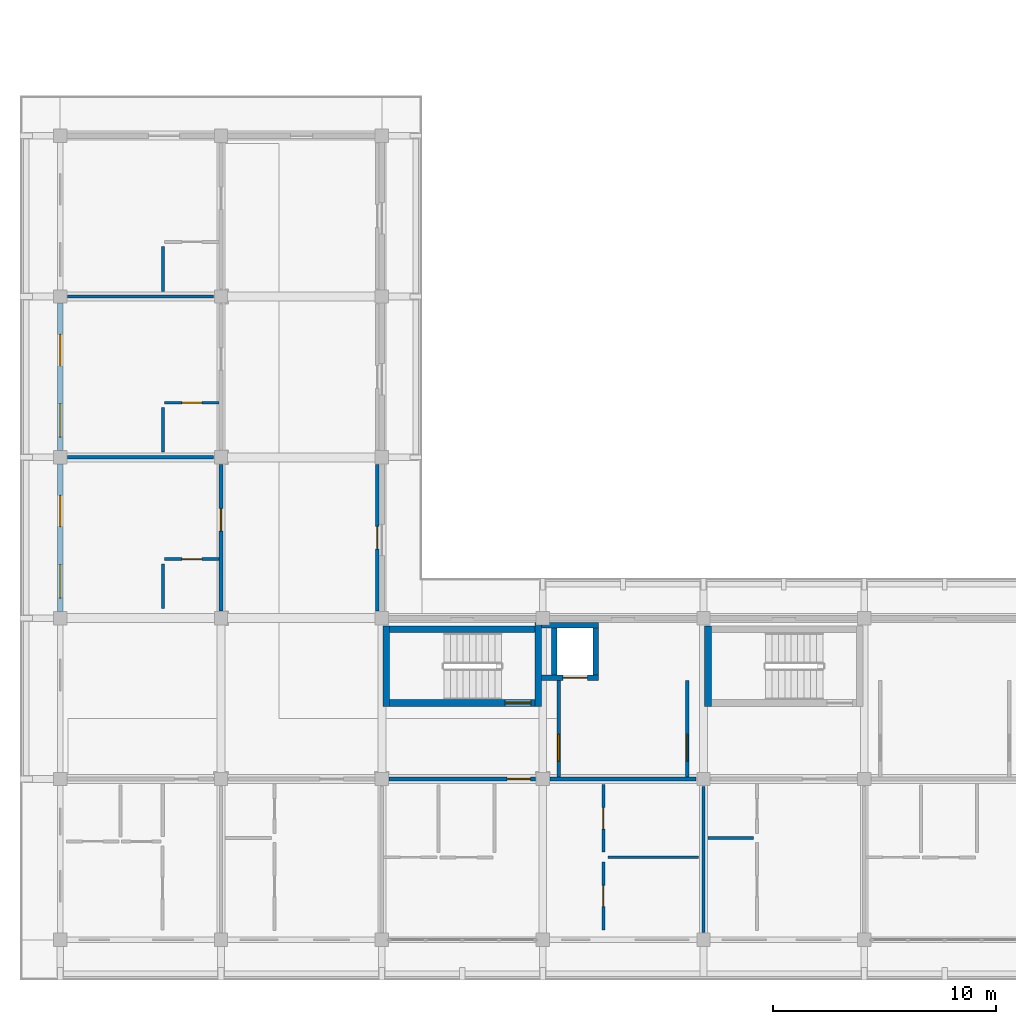
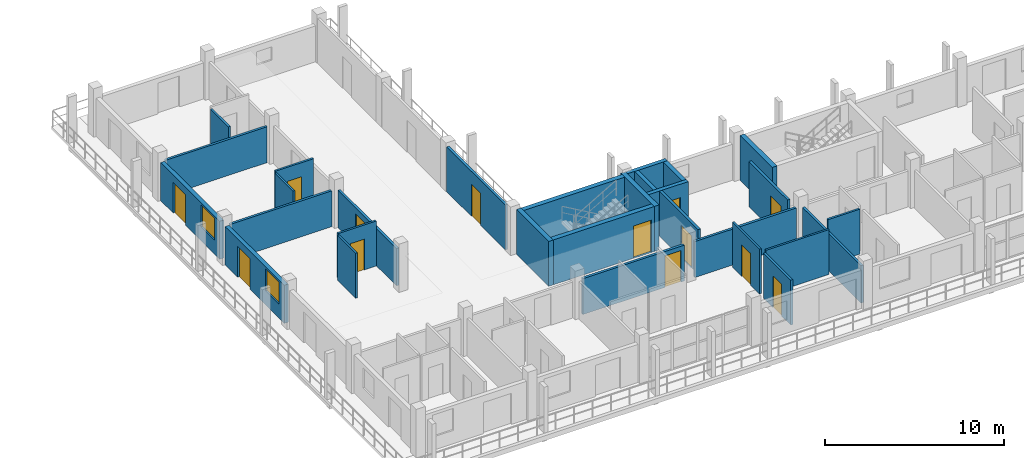
# One storey, part 39 of 75: 29 walls, 13 doors, 2 windows, 15 openings.
"""IFC4 building model written with IfcOpenShell, lengths in metres."""

from ifc_helpers import new_model, si_unit, direction, frame, frame_2d, origin, place, context, subcontext, project, spatial, rectangle, extrude, material, layer, layer_set, type_object, element, fill, save


model = new_model("IFC4")

# Units and contexts
model_context = context("Model", 3, precision=1e-05, world=origin(), true_north=direction((0.0, 1.0)))
body_context = subcontext(model_context, "Body", "Model", "MODEL_VIEW")
ifc_project = project(units=[si_unit("LENGTHUNIT", "METRE"), si_unit("AREAUNIT", "SQUARE_METRE"), si_unit("VOLUMEUNIT", "CUBIC_METRE"), si_unit("PLANEANGLEUNIT", "RADIAN"), si_unit("MASSUNIT", "GRAM", prefix="KILO")], contexts=[model_context])

# Site, building, storey
site_placement = place(None, origin())
site = spatial("IfcSite", under=ifc_project, at=site_placement, CompositionType="ELEMENT")
building_placement = place(site_placement, origin())
building = spatial("IfcBuilding", under=site, at=building_placement, Name="Suanplinth Sawtooth Commons", CompositionType="ELEMENT")
storey_placement = place(building_placement, frame((0.0, 0.0, 18.60009765625)))
storey = spatial("IfcBuildingStorey", under=building, at=storey_placement, Name="L05", CompositionType="ELEMENT", Elevation=18.60009765625)

# Wall, opening, door
ifc_material_1 = material(Name="Concrete C40/50", Category="concrete")
ifc_layer_1 = layer(ifc_material_1, 0.300048828125, Name="Standard RC stair and lift core wall 300mm")
ifc_layer_set_1 = layer_set([ifc_layer_1], Name="Concrete C40/50")
wall_type_1 = type_object("IfcWallType", Name="W-CR02", PredefinedType="SHEAR", material=ifc_layer_set_1)
wall_1_placement = place(storey_placement, frame((14.75, 10.60009765625, 0.0), z_axis=(0.0, 0.0, 1.0), x_axis=(1.0, 0.0, 0.0)))
wall_1 = element("IfcWall", 1, at=wall_1_placement, inside=storey, type_object=wall_type_1, Name="W-L05-C-D1-STS", PredefinedType="SHEAR", context=body_context, shape_type="SweptSolid", body=[
    extrude(rectangle(XDim=6.5, YDim=0.300048828125, at=frame_2d((3.25, 0.0))), origin(), (0.0, 0.0, 1.0), 3.059814453125),
])
opening_1_placement = place(wall_1_placement, frame((5.169921875, 0.0, 0.0)))
opening_1 = element("IfcOpeningElement", 2, at=opening_1_placement, cuts=wall_1, Name="Opening FD0381", PredefinedType="OPENING", context=body_context, shape_type="SweptSolid", body=[
    extrude(rectangle(XDim=1.14990234375, YDim=2.199951171875, at=frame_2d((0.574951171875, 1.10009765625))), frame((0.0, 0.1650390625, 0.0), z_axis=(0.0, -1.0, 0.0), x_axis=(1.0, 0.0, 0.0)), (0.0, 0.0, 1.0), 0.329833984375),
])
ifc_material_2 = material(Name="Teak hardwood fire-rated door assembly", Category="wood")
door_type_1 = type_object("IfcDoorType", Name="FD-01", OperationType="NOTDEFINED", PredefinedType="DOOR", material=ifc_material_2)
door_1_placement = place(opening_1_placement, origin())
door_1 = element("IfcDoor", 3, at=door_1_placement, inside=storey, type_object=door_type_1, Name="Exit Stair Fire Door FD0381", OperationType="SINGLE_SWING_RIGHT", OverallHeight=2.199951171875, OverallWidth=1.14990234375, PredefinedType="DOOR", context=body_context, shape_type="SweptSolid", body=[
    extrude(rectangle(XDim=1.14990234375, YDim=2.199951171875, at=frame_2d((0.574951171875, 1.10009765625))), frame((0.0, 0.02490234375, 0.0), z_axis=(0.0, -1.0, 0.0), x_axis=(1.0, 0.0, 0.0)), (0.0, 0.0, 1.0), 0.050048828125),
])
fill(opening_1, door_1)

# Walls
wall_2_placement = place(storey_placement, frame((14.75, 13.89990234375, 0.0), z_axis=(0.0, 0.0, 1.0), x_axis=(1.0, 0.0, 0.0)))
element("IfcWall", 4, at=wall_2_placement, inside=storey, type_object=wall_type_1, Name="W-L05-C-D1-STN", PredefinedType="SHEAR", context=body_context, shape_type="SweptSolid", body=[
    extrude(rectangle(XDim=6.5, YDim=0.300048828125, at=frame_2d((3.25, 0.0))), origin(), (0.0, 0.0, 1.0), 3.059814453125),
])
wall_3_placement = place(storey_placement, frame((14.60009765625, 10.449951171875, 0.0), z_axis=(0.0, 0.0, 1.0), x_axis=(0.0, 1.0, 0.0)))
element("IfcWall", 5, at=wall_3_placement, inside=storey, type_object=wall_type_1, Name="W-L05-C-D1-STW", PredefinedType="SHEAR", context=body_context, shape_type="SweptSolid", body=[
    extrude(rectangle(XDim=3.60009765625, YDim=0.300048828125, at=frame_2d((1.800048828125, 0.0))), origin(), (0.0, 0.0, 1.0), 3.059814453125),
])
wall_4_placement = place(storey_placement, frame((21.39990234375, 10.449951171875, 0.0), z_axis=(0.0, 0.0, 1.0), x_axis=(0.0, 1.0, 0.0)))
element("IfcWall", 6, at=wall_4_placement, inside=storey, type_object=wall_type_1, Name="W-L05-C-D1-STE", PredefinedType="SHEAR", context=body_context, shape_type="SweptSolid", body=[
    extrude(rectangle(XDim=3.75, YDim=0.300048828125, at=frame_2d((1.875, 0.0))), origin(), (0.0, 0.0, 1.0), 3.059814453125),
])
wall_5_placement = place(storey_placement, frame((29.0, 10.449951171875, 0.0), z_axis=(0.0, 0.0, 1.0), x_axis=(0.0, 1.0, 0.0)))
element("IfcWall", 7, at=wall_5_placement, inside=storey, type_object=wall_type_1, Name="W-L05-C-D2-STW", PredefinedType="SHEAR", context=body_context, shape_type="SweptSolid", body=[
    extrude(rectangle(XDim=3.60009765625, YDim=0.300048828125, at=frame_2d((1.800048828125, 0.0))), origin(), (0.0, 0.0, 1.0), 3.059814453125),
])

# Wall, openings, door, window
ifc_material_3 = material(Name="Precast concrete C40/50", Category="concrete")
ifc_layer_2 = layer(ifc_material_3, 0.260009765625, Name="Insulated precast courtyard facade wall 260mm")
ifc_layer_set_2 = layer_set([ifc_layer_2], Name="Precast concrete C40/50")
wall_type_2 = type_object("IfcWallType", Name="W-EX02", PredefinedType="ELEMENTEDWALL", material=ifc_layer_set_2)
wall_6_placement = place(storey_placement, frame((0.0, 14.699951171875, 0.0), z_axis=(0.0, 0.0, 1.0), x_axis=(0.0, 1.0, 0.0)))
wall_6 = element("IfcWall", 8, at=wall_6_placement, inside=storey, type_object=wall_type_2, Name="Facade Wall W-L05-D-W-0-2", PredefinedType="ELEMENTEDWALL", context=body_context, shape_type="SweptSolid", body=[
    extrude(rectangle(XDim=6.60009765625, YDim=0.260009765625, at=frame_2d((3.300048828125, 0.0))), origin(), (0.0, 0.0, 1.0), 2.594970703125),
])
opening_2_placement = place(wall_6_placement, frame((3.800048828125, 0.0, 0.0)))
opening_2 = element("IfcOpeningElement", 9, at=opening_2_placement, cuts=wall_6, Name="Opening ED0464", PredefinedType="OPENING", context=body_context, shape_type="SweptSolid", body=[
    extrude(rectangle(XDim=1.39990234375, YDim=2.10009765625, at=frame_2d((0.699951171875, 1.050048828125))), frame((0.0, 0.14501953125, 0.0), z_axis=(0.0, -1.0, 0.0), x_axis=(1.0, 0.0, 0.0)), (0.0, 0.0, 1.0), 0.289794921875),
])
opening_3_placement = place(wall_6_placement, frame((0.60009765625, 0.0, 0.949951171875)))
opening_3 = element("IfcOpeningElement", 10, at=opening_3_placement, cuts=wall_6, Name="Opening W0552", PredefinedType="OPENING", context=body_context, shape_type="SweptSolid", body=[
    extrude(rectangle(XDim=1.5, YDim=1.5, at=frame_2d((0.75, 0.75))), frame((0.0, 0.14501953125, 0.0), z_axis=(0.0, -1.0, 0.0), x_axis=(1.0, 0.0, 0.0)), (0.0, 0.0, 1.0), 0.289794921875),
])
ifc_material_4 = material(Name="Anodized aluminium and low-E glass", Category="aluminium")
door_type_2 = type_object("IfcDoorType", Name="SD-07", OperationType="SLIDING_TO_RIGHT", PredefinedType="DOOR", material=ifc_material_4)
door_2_placement = place(opening_2_placement, frame((1.39990234375, 0.0, 0.0), z_axis=(0.0, 0.0, 1.0), x_axis=(-1.0, 0.0, 0.0)))
door_2 = element("IfcDoor", 11, at=door_2_placement, inside=storey, type_object=door_type_2, Name="Wing Balcony Sliding Door L05-D-2", OperationType="SLIDING_TO_RIGHT", OverallHeight=2.10009765625, OverallWidth=1.39990234375, PredefinedType="DOOR", context=body_context, shape_type="SweptSolid", body=[
    extrude(rectangle(XDim=1.39990234375, YDim=2.10009765625, at=frame_2d((0.699951171875, 1.050048828125))), frame((0.0, 0.02490234375, 0.0), z_axis=(0.0, -1.0, 0.0), x_axis=(1.0, 0.0, 0.0)), (0.0, 0.0, 1.0), 0.050048828125),
])
fill(opening_2, door_2)
ifc_material_5 = material(Name="Thermally broken aluminium and low-E double glazing", Category="aluminium")
window_type = type_object("IfcWindowType", Name="WN-02", PartitioningType="DOUBLE_PANEL_VERTICAL", PredefinedType="WINDOW", material=ifc_material_5)
window_1_placement = place(opening_3_placement, origin())
window_1 = element("IfcWindow", 12, at=window_1_placement, inside=storey, type_object=window_type, Name="Wing Window L05-D-2", OverallHeight=1.5, OverallWidth=1.5, PartitioningType="DOUBLE_PANEL_VERTICAL", PredefinedType="WINDOW", context=body_context, shape_type="SweptSolid", body=[
    extrude(rectangle(XDim=1.5, YDim=1.5, at=frame_2d((0.75, 0.75))), frame((0.0, 0.030029296875, 0.0), z_axis=(0.0, -1.0, 0.0), x_axis=(1.0, 0.0, 0.0)), (0.0, 0.0, 1.0), 0.06005859375),
])
fill(opening_3, window_1)

wall_7_placement = place(storey_placement, frame((0.0, 21.89990234375, 0.0), z_axis=(0.0, 0.0, 1.0), x_axis=(0.0, 1.0, 0.0)))
wall_7 = element("IfcWall", 13, at=wall_7_placement, inside=storey, type_object=wall_type_2, Name="Facade Wall W-L05-D-W-0-3", PredefinedType="ELEMENTEDWALL", context=body_context, shape_type="SweptSolid", body=[
    extrude(rectangle(XDim=6.60009765625, YDim=0.260009765625, at=frame_2d((3.300048828125, 0.0))), origin(), (0.0, 0.0, 1.0), 2.594970703125),
])
opening_4_placement = place(wall_7_placement, frame((3.800048828125, 0.0, 0.0)))
opening_4 = element("IfcOpeningElement", 14, at=opening_4_placement, cuts=wall_7, Name="Opening ED0465", PredefinedType="OPENING", context=body_context, shape_type="SweptSolid", body=[
    extrude(rectangle(XDim=1.39990234375, YDim=2.10009765625, at=frame_2d((0.699951171875, 1.050048828125))), frame((0.0, 0.14501953125, 0.0), z_axis=(0.0, -1.0, 0.0), x_axis=(1.0, 0.0, 0.0)), (0.0, 0.0, 1.0), 0.289794921875),
])
opening_5_placement = place(wall_7_placement, frame((0.60009765625, 0.0, 0.949951171875)))
opening_5 = element("IfcOpeningElement", 15, at=opening_5_placement, cuts=wall_7, Name="Opening W0553", PredefinedType="OPENING", context=body_context, shape_type="SweptSolid", body=[
    extrude(rectangle(XDim=1.5, YDim=1.5, at=frame_2d((0.75, 0.75))), frame((0.0, 0.14501953125, 0.0), z_axis=(0.0, -1.0, 0.0), x_axis=(1.0, 0.0, 0.0)), (0.0, 0.0, 1.0), 0.289794921875),
])
door_3_placement = place(opening_4_placement, frame((1.39990234375, 0.0, 0.0), z_axis=(0.0, 0.0, 1.0), x_axis=(-1.0, 0.0, 0.0)))
door_3 = element("IfcDoor", 16, at=door_3_placement, inside=storey, type_object=door_type_2, Name="Wing Balcony Sliding Door L05-D-3", OperationType="SLIDING_TO_RIGHT", OverallHeight=2.10009765625, OverallWidth=1.39990234375, PredefinedType="DOOR", context=body_context, shape_type="SweptSolid", body=[
    extrude(rectangle(XDim=1.39990234375, YDim=2.10009765625, at=frame_2d((0.699951171875, 1.050048828125))), frame((0.0, 0.02490234375, 0.0), z_axis=(0.0, -1.0, 0.0), x_axis=(1.0, 0.0, 0.0)), (0.0, 0.0, 1.0), 0.050048828125),
])
fill(opening_4, door_3)
window_2_placement = place(opening_5_placement, origin())
window_2 = element("IfcWindow", 17, at=window_2_placement, inside=storey, type_object=window_type, Name="Wing Window L05-D-3", OverallHeight=1.5, OverallWidth=1.5, PartitioningType="DOUBLE_PANEL_VERTICAL", PredefinedType="WINDOW", context=body_context, shape_type="SweptSolid", body=[
    extrude(rectangle(XDim=1.5, YDim=1.5, at=frame_2d((0.75, 0.75))), frame((0.0, 0.030029296875, 0.0), z_axis=(0.0, -1.0, 0.0), x_axis=(1.0, 0.0, 0.0)), (0.0, 0.0, 1.0), 0.06005859375),
])
fill(opening_5, window_2)

# Wall, opening, door
ifc_layer_3 = layer(ifc_material_3, 0.159912109375, Name="Fire-rated corridor and lobby wall 160mm")
ifc_layer_set_3 = layer_set([ifc_layer_3], Name="Precast concrete C40/50")
wall_type_3 = type_object("IfcWallType", Name="W-FW01", PredefinedType="PARTITIONING", material=ifc_layer_set_3)
wall_8_placement = place(storey_placement, frame((22.320068359375, 7.280029296875, 0.0), z_axis=(0.0, 0.0, 1.0), x_axis=(0.0, 1.0, 0.0)))
wall_8 = element("IfcWall", 18, at=wall_8_placement, inside=storey, type_object=wall_type_3, Name="W-L05-C-D1-LOB-W", PredefinedType="PARTITIONING", context=body_context, shape_type="SweptSolid", body=[
    extrude(rectangle(XDim=4.320068359375, YDim=0.159912109375, at=frame_2d((2.16015625, 0.0))), origin(), (0.0, 0.0, 1.0), 3.059814453125),
])
opening_6_placement = place(wall_8_placement, frame((0.719970703125, 0.0, 0.0)))
opening_6 = element("IfcOpeningElement", 19, at=opening_6_placement, cuts=wall_8, Name="Opening FD0382", PredefinedType="OPENING", context=body_context, shape_type="SweptSolid", body=[
    extrude(rectangle(XDim=1.199951171875, YDim=2.199951171875, at=frame_2d((0.60009765625, 1.10009765625))), frame((0.0, 0.0947265625, 0.0), z_axis=(0.0, -1.0, 0.0), x_axis=(1.0, 0.0, 0.0)), (0.0, 0.0, 1.0), 0.189697265625),
])
door_type_3 = type_object("IfcDoorType", Name="FD-02", OperationType="NOTDEFINED", PredefinedType="DOOR", material=ifc_material_2)
door_4_placement = place(opening_6_placement, origin())
door_4 = element("IfcDoor", 20, at=door_4_placement, inside=storey, type_object=door_type_3, Name="Lobby Fire Door FD0382", OperationType="SINGLE_SWING_LEFT", OverallHeight=2.199951171875, OverallWidth=1.199951171875, PredefinedType="DOOR", context=body_context, shape_type="SweptSolid", body=[
    extrude(rectangle(XDim=1.199951171875, YDim=2.199951171875, at=frame_2d((0.60009765625, 1.10009765625))), frame((0.0, 0.02490234375, 0.0), z_axis=(0.0, -1.0, 0.0), x_axis=(1.0, 0.0, 0.0)), (0.0, 0.0, 1.0), 0.050048828125),
])
fill(opening_6, door_4)

wall_9_placement = place(storey_placement, frame((28.080078125, 7.280029296875, 0.0), z_axis=(0.0, 0.0, 1.0), x_axis=(0.0, 1.0, 0.0)))
wall_9 = element("IfcWall", 21, at=wall_9_placement, inside=storey, type_object=wall_type_3, Name="W-L05-C-D1-LOB-E", PredefinedType="PARTITIONING", context=body_context, shape_type="SweptSolid", body=[
    extrude(rectangle(XDim=4.320068359375, YDim=0.159912109375, at=frame_2d((2.16015625, 0.0))), origin(), (0.0, 0.0, 1.0), 3.059814453125),
])
opening_7_placement = place(wall_9_placement, frame((0.719970703125, 0.0, 0.0)))
opening_7 = element("IfcOpeningElement", 22, at=opening_7_placement, cuts=wall_9, Name="Opening FD0383", PredefinedType="OPENING", context=body_context, shape_type="SweptSolid", body=[
    extrude(rectangle(XDim=1.199951171875, YDim=2.199951171875, at=frame_2d((0.60009765625, 1.10009765625))), frame((0.0, 0.0947265625, 0.0), z_axis=(0.0, -1.0, 0.0), x_axis=(1.0, 0.0, 0.0)), (0.0, 0.0, 1.0), 0.189697265625),
])
door_5_placement = place(opening_7_placement, frame((1.199951171875, 0.0, 0.0), z_axis=(0.0, 0.0, 1.0), x_axis=(-1.0, 0.0, 0.0)))
door_5 = element("IfcDoor", 23, at=door_5_placement, inside=storey, type_object=door_type_3, Name="Lobby Fire Door FD0383", OperationType="SINGLE_SWING_RIGHT", OverallHeight=2.199951171875, OverallWidth=1.199951171875, PredefinedType="DOOR", context=body_context, shape_type="SweptSolid", body=[
    extrude(rectangle(XDim=1.199951171875, YDim=2.199951171875, at=frame_2d((0.60009765625, 1.10009765625))), frame((0.0, 0.02490234375, 0.0), z_axis=(0.0, -1.0, 0.0), x_axis=(1.0, 0.0, 0.0)), (0.0, 0.0, 1.0), 0.050048828125),
])
fill(opening_7, door_5)

wall_10_placement = place(storey_placement, frame((14.72998046875, 7.199951171875, 0.0), z_axis=(0.0, 0.0, 1.0), x_axis=(1.0, 0.0, 0.0)))
wall_10 = element("IfcWall", 24, at=wall_10_placement, inside=storey, type_object=wall_type_3, Name="W-D-L05-U03-COR-S1", PredefinedType="PARTITIONING", context=body_context, shape_type="SweptSolid", body=[
    extrude(rectangle(XDim=6.5400390625, YDim=0.159912109375, at=frame_2d((3.27001953125, 0.0))), origin(), (0.0, 0.0, 1.0), 2.44482421875),
])
opening_8_placement = place(wall_10_placement, frame((5.27490234375, 0.0, 0.0)))
opening_8 = element("IfcOpeningElement", 25, at=opening_8_placement, cuts=wall_10, Name="Opening FD1332", PredefinedType="OPENING", context=body_context, shape_type="SweptSolid", body=[
    extrude(rectangle(XDim=1.050048828125, YDim=2.14990234375, at=frame_2d((0.52490234375, 1.074951171875))), frame((0.0, 0.0947265625, 0.0), z_axis=(0.0, -1.0, 0.0), x_axis=(1.0, 0.0, 0.0)), (0.0, 0.0, 1.0), 0.189697265625),
])
door_type_4 = type_object("IfcDoorType", Name="FD-04", OperationType="NOTDEFINED", PredefinedType="DOOR", material=ifc_material_2)
door_6_placement = place(opening_8_placement, frame((1.050048828125, 0.0, 0.0), z_axis=(0.0, 0.0, 1.0), x_axis=(-1.0, 0.0, 0.0)))
door_6 = element("IfcDoor", 26, at=door_6_placement, inside=storey, type_object=door_type_4, Name="Unit Entrance Door FD1332", OperationType="SINGLE_SWING_RIGHT", OverallHeight=2.14990234375, OverallWidth=1.050048828125, PredefinedType="DOOR", context=body_context, shape_type="SweptSolid", body=[
    extrude(rectangle(XDim=1.050048828125, YDim=2.14990234375, at=frame_2d((0.52490234375, 1.074951171875))), frame((0.0, 0.02490234375, 0.0), z_axis=(0.0, -1.0, 0.0), x_axis=(1.0, 0.0, 0.0)), (0.0, 0.0, 1.0), 0.050048828125),
])
fill(opening_8, door_6)

# Wall
wall_11_placement = place(storey_placement, frame((21.929931640625, 7.199951171875, 0.0), z_axis=(0.0, 0.0, 1.0), x_axis=(1.0, 0.0, 0.0)))
element("IfcWall", 27, at=wall_11_placement, inside=storey, type_object=wall_type_3, Name="W-D-L05-U03-COR-S2", PredefinedType="PARTITIONING", context=body_context, shape_type="SweptSolid", body=[
    extrude(rectangle(XDim=6.5400390625, YDim=0.159912109375, at=frame_2d((3.27001953125, 0.0))), origin(), (0.0, 0.0, 1.0), 2.44482421875),
])

# Wall, opening, door
wall_12_placement = place(storey_placement, frame((7.199951171875, 14.72998046875, 0.0), z_axis=(0.0, 0.0, 1.0), x_axis=(0.0, 1.0, 0.0)))
wall_12 = element("IfcWall", 28, at=wall_12_placement, inside=storey, type_object=wall_type_3, Name="W-D-L05-L01-COR", PredefinedType="PARTITIONING", context=body_context, shape_type="SweptSolid", body=[
    extrude(rectangle(XDim=6.5400390625, YDim=0.159912109375, at=frame_2d((3.27001953125, 0.0))), origin(), (0.0, 0.0, 1.0), 2.544921875),
])
opening_9_placement = place(wall_12_placement, frame((3.570068359375, 0.0, 0.0)))
opening_9 = element("IfcOpeningElement", 29, at=opening_9_placement, cuts=wall_12, Name="Opening FD1346", PredefinedType="OPENING", context=body_context, shape_type="SweptSolid", body=[
    extrude(rectangle(XDim=1.0, YDim=2.14990234375, at=frame_2d((0.5, 1.074951171875))), frame((0.0, 0.0947265625, 0.0), z_axis=(0.0, -1.0, 0.0), x_axis=(1.0, 0.0, 0.0)), (0.0, 0.0, 1.0), 0.189697265625),
])
door_type_5 = type_object("IfcDoorType", Name="FD-03", OperationType="NOTDEFINED", PredefinedType="DOOR", material=ifc_material_2)
door_7_placement = place(opening_9_placement, origin())
door_7 = element("IfcDoor", 30, at=door_7_placement, inside=storey, type_object=door_type_5, Name="Wing Unit Entrance Door FD1346", OperationType="SINGLE_SWING_RIGHT", OverallHeight=2.14990234375, OverallWidth=1.0, PredefinedType="DOOR", context=body_context, shape_type="SweptSolid", body=[
    extrude(rectangle(XDim=1.0, YDim=2.14990234375, at=frame_2d((0.5, 1.074951171875))), frame((0.0, 0.02490234375, 0.0), z_axis=(0.0, -1.0, 0.0), x_axis=(1.0, 0.0, 0.0)), (0.0, 0.0, 1.0), 0.050048828125),
])
fill(opening_9, door_7)

wall_13_placement = place(storey_placement, frame((14.199951171875, 14.72998046875, 0.0), z_axis=(0.0, 0.0, 1.0), x_axis=(0.0, 1.0, 0.0)))
wall_13 = element("IfcWall", 31, at=wall_13_placement, inside=storey, type_object=wall_type_3, Name="W-D-L05-LEGCOURTROOM-61-COR", PredefinedType="PARTITIONING", context=body_context, shape_type="SweptSolid", body=[
    extrude(rectangle(XDim=6.5400390625, YDim=0.159912109375, at=frame_2d((3.27001953125, 0.0))), origin(), (0.0, 0.0, 1.0), 3.059814453125),
])
opening_10_placement = place(wall_13_placement, frame((2.760009765625, 0.0, 0.0)))
opening_10 = element("IfcOpeningElement", 32, at=opening_10_placement, cuts=wall_13, Name="Opening D1348", PredefinedType="OPENING", context=body_context, shape_type="SweptSolid", body=[
    extrude(rectangle(XDim=1.02001953125, YDim=2.179931640625, at=frame_2d((0.510009765625, 1.08984375))), frame((0.0, 0.0947265625, 0.0), z_axis=(0.0, -1.0, 0.0), x_axis=(1.0, 0.0, 0.0)), (0.0, 0.0, 1.0), 0.189697265625),
])
ifc_material_6 = material(Name="Teak hardwood", Category="wood")
door_type_6 = type_object("IfcDoorType", Name="D-16", OperationType="NOTDEFINED", PredefinedType="DOOR", material=ifc_material_6)
door_8_placement = place(opening_10_placement, frame((1.02001953125, 0.0, 0.0), z_axis=(0.0, 0.0, 1.0), x_axis=(-1.0, 0.0, 0.0)))
door_8 = element("IfcDoor", 33, at=door_8_placement, inside=storey, type_object=door_type_6, Name="Veranda Studio Door D1348", OperationType="SINGLE_SWING_RIGHT", OverallHeight=2.179931640625, OverallWidth=1.02001953125, PredefinedType="DOOR", context=body_context, shape_type="SweptSolid", body=[
    extrude(rectangle(XDim=1.02001953125, YDim=2.179931640625, at=frame_2d((0.510009765625, 1.08984375))), frame((0.0, 0.02490234375, 0.0), z_axis=(0.0, -1.0, 0.0), x_axis=(1.0, 0.0, 0.0)), (0.0, 0.0, 1.0), 0.050048828125),
])
fill(opening_10, door_8)

# Walls
ifc_layer_4 = layer(ifc_material_3, 0.14990234375, Name="Acoustic precast party demising wall 150mm")
ifc_layer_set_4 = layer_set([ifc_layer_4], Name="Precast concrete C40/50")
wall_type_4 = type_object("IfcWallType", Name="W-FW02", PredefinedType="PARTITIONING", material=ifc_layer_set_4)
wall_14_placement = place(storey_placement, frame((28.800048828125, 0.330078125, 0.0), z_axis=(0.0, 0.0, 1.0), x_axis=(0.0, 1.0, 0.0)))
element("IfcWall", 34, at=wall_14_placement, inside=storey, type_object=wall_type_4, Name="W-D-L05-U03-PTY", PredefinedType="PARTITIONING", context=body_context, shape_type="SweptSolid", body=[
    extrude(rectangle(XDim=6.5400390625, YDim=0.14990234375, at=frame_2d((3.27001953125, 0.0))), origin(), (0.0, 0.0, 1.0), 2.544921875),
])
for number, where, z_axis, x_axis, name in (
    (35, (0.330078125, 21.60009765625, 0.0), (0.0, 0.0, 1.0), (1.0, 0.0, 0.0), "W-D-L05-L01-PTY"),
    (36, (0.330078125, 28.800048828125, 0.0), (0.0, 0.0, 1.0), (1.0, 0.0, 0.0), "W-D-L05-L02-PTY"),
):
    element("IfcWall", number, at=place(storey_placement, frame(where, z_axis=z_axis, x_axis=x_axis)), inside=storey, type_object=wall_type_4, Name=name, PredefinedType="PARTITIONING", context=body_context, shape_type="SweptSolid", body=[
        extrude(rectangle(XDim=6.5400390625, YDim=0.14990234375, at=frame_2d((3.27001953125, 0.0))), origin(), (0.0, 0.0, 1.0), 2.44482421875),
    ])
ifc_material_7 = material(Name="Gypsum plasterboard on steel stud", Category="steel")
ifc_layer_5 = layer(ifc_material_7, 0.1298828125, Name="Moisture-resistant bathroom partition 130mm")
ifc_layer_set_5 = layer_set([ifc_layer_5], Name="Gypsum plasterboard on steel stud")
wall_type_5 = type_object("IfcWallType", Name="W-PT02", PredefinedType="PARTITIONING", material=ifc_layer_set_5)
wall_15_placement = place(storey_placement, frame((29.0, 4.56005859375, 0.0), z_axis=(0.0, 0.0, 1.0), x_axis=(1.0, 0.0, 0.0)))
element("IfcWall", 37, at=wall_15_placement, inside=storey, type_object=wall_type_5, Name="W-D-L05-U04-STDIV", PredefinedType="PARTITIONING", context=body_context, shape_type="SweptSolid", body=[
    extrude(rectangle(XDim=2.050048828125, YDim=0.1298828125, at=frame_2d((1.02490234375, 0.0))), origin(), (0.0, 0.0, 1.0), 3.059814453125),
])

# Wall, opening, door
wall_16_placement = place(storey_placement, frame((4.669921875, 17.044921875, 0.0), z_axis=(0.0, 0.0, 1.0), x_axis=(1.0, 0.0, 0.0)))
wall_16 = element("IfcWall", 38, at=wall_16_placement, inside=storey, type_object=wall_type_5, Name="W-D-L05-L01-BTH1", PredefinedType="PARTITIONING", context=body_context, shape_type="SweptSolid", body=[
    extrude(rectangle(XDim=2.4501953125, YDim=0.1298828125, at=frame_2d((1.22509765625, 0.0))), origin(), (0.0, 0.0, 1.0), 3.059814453125),
])
opening_11_placement = place(wall_16_placement, frame((0.77490234375, 0.0, 0.0)))
opening_11 = element("IfcOpeningElement", 39, at=opening_11_placement, cuts=wall_16, Name="Opening D1347", PredefinedType="OPENING", context=body_context, shape_type="SweptSolid", body=[
    extrude(rectangle(XDim=0.89990234375, YDim=2.10009765625, at=frame_2d((0.449951171875, 1.050048828125))), frame((0.0, 0.079833984375, 0.0), z_axis=(0.0, -1.0, 0.0), x_axis=(1.0, 0.0, 0.0)), (0.0, 0.0, 1.0), 0.15966796875),
])
door_type_7 = type_object("IfcDoorType", Name="D-01", OperationType="NOTDEFINED", PredefinedType="DOOR", material=ifc_material_6)
door_9_placement = place(opening_11_placement, frame((0.89990234375, 0.0, 0.0), z_axis=(0.0, 0.0, 1.0), x_axis=(-1.0, 0.0, 0.0)))
door_9 = element("IfcDoor", 40, at=door_9_placement, inside=storey, type_object=door_type_7, Name="Bathroom Door D1347", OperationType="SINGLE_SWING_LEFT", OverallHeight=2.10009765625, OverallWidth=0.89990234375, PredefinedType="DOOR", context=body_context, shape_type="SweptSolid", body=[
    extrude(rectangle(XDim=0.89990234375, YDim=2.10009765625, at=frame_2d((0.449951171875, 1.050048828125))), frame((0.0, 0.02490234375, 0.0), z_axis=(0.0, -1.0, 0.0), x_axis=(1.0, 0.0, 0.0)), (0.0, 0.0, 1.0), 0.050048828125),
])
fill(opening_11, door_9)

# Wall
wall_17_placement = place(storey_placement, frame((4.60498046875, 14.830078125, 0.0), z_axis=(0.0, 0.0, 1.0), x_axis=(0.0, 1.0, 0.0)))
element("IfcWall", 41, at=wall_17_placement, inside=storey, type_object=wall_type_5, Name="W-D-L05-L01-BTH2", PredefinedType="PARTITIONING", context=body_context, shape_type="SweptSolid", body=[
    extrude(rectangle(XDim=2.0, YDim=0.1298828125, at=frame_2d((1.0, 0.0))), origin(), (0.0, 0.0, 1.0), 3.059814453125),
])

# Wall, opening, door
wall_18_placement = place(storey_placement, frame((4.669921875, 24.044921875, 0.0), z_axis=(0.0, 0.0, 1.0), x_axis=(1.0, 0.0, 0.0)))
wall_18 = element("IfcWall", 42, at=wall_18_placement, inside=storey, type_object=wall_type_5, Name="W-D-L05-L02-BTH1", PredefinedType="PARTITIONING", context=body_context, shape_type="SweptSolid", body=[
    extrude(rectangle(XDim=2.4501953125, YDim=0.1298828125, at=frame_2d((1.22509765625, 0.0))), origin(), (0.0, 0.0, 1.0), 3.059814453125),
])
opening_12_placement = place(wall_18_placement, frame((0.77490234375, 0.0, 0.0)))
opening_12 = element("IfcOpeningElement", 43, at=opening_12_placement, cuts=wall_18, Name="Opening D1350", PredefinedType="OPENING", context=body_context, shape_type="SweptSolid", body=[
    extrude(rectangle(XDim=0.89990234375, YDim=2.10009765625, at=frame_2d((0.449951171875, 1.050048828125))), frame((0.0, 0.079833984375, 0.0), z_axis=(0.0, -1.0, 0.0), x_axis=(1.0, 0.0, 0.0)), (0.0, 0.0, 1.0), 0.15966796875),
])
door_10_placement = place(opening_12_placement, frame((0.89990234375, 0.0, 0.0), z_axis=(0.0, 0.0, 1.0), x_axis=(-1.0, 0.0, 0.0)))
door_10 = element("IfcDoor", 44, at=door_10_placement, inside=storey, type_object=door_type_7, Name="Bathroom Door D1350", OperationType="SINGLE_SWING_RIGHT", OverallHeight=2.10009765625, OverallWidth=0.89990234375, PredefinedType="DOOR", context=body_context, shape_type="SweptSolid", body=[
    extrude(rectangle(XDim=0.89990234375, YDim=2.10009765625, at=frame_2d((0.449951171875, 1.050048828125))), frame((0.0, 0.02490234375, 0.0), z_axis=(0.0, -1.0, 0.0), x_axis=(1.0, 0.0, 0.0)), (0.0, 0.0, 1.0), 0.050048828125),
])
fill(opening_12, door_10)

# Walls
for number, where, z_axis, x_axis, name in (
    (45, (4.60498046875, 21.830078125, 0.0), (0.0, 0.0, 1.0), (0.0, 1.0, 0.0), "W-D-L05-L02-BTH2"),
    (46, (4.60498046875, 29.030029296875, 0.0), (0.0, 0.0, 1.0), (0.0, 1.0, 0.0), "W-D-L05-L03-BTH2"),
):
    element("IfcWall", number, at=place(storey_placement, frame(where, z_axis=z_axis, x_axis=x_axis)), inside=storey, type_object=wall_type_5, Name=name, PredefinedType="PARTITIONING", context=body_context, shape_type="SweptSolid", body=[
        extrude(rectangle(XDim=2.0, YDim=0.1298828125, at=frame_2d((1.0, 0.0))), origin(), (0.0, 0.0, 1.0), 3.059814453125),
    ])

# Wall, opening, door
ifc_layer_6 = layer(ifc_material_7, 0.1201171875, Name="Acoustic bedroom partition 120mm")
ifc_layer_set_6 = layer_set([ifc_layer_6], Name="Gypsum plasterboard on steel stud")
wall_type_6 = type_object("IfcWallType", Name="W-PT03", PredefinedType="PARTITIONING", material=ifc_layer_set_6)
wall_19_placement = place(storey_placement, frame((24.320068359375, 3.919921875, 0.0), z_axis=(0.0, 0.0, 1.0), x_axis=(0.0, 1.0, 0.0)))
wall_19 = element("IfcWall", 47, at=wall_19_placement, inside=storey, type_object=wall_type_6, Name="W-D-L05-U03-BED2", PredefinedType="PARTITIONING", context=body_context, shape_type="SweptSolid", body=[
    extrude(rectangle(XDim=3.0400390625, YDim=0.1201171875, at=frame_2d((1.52001953125, 0.0))), origin(), (0.0, 0.0, 1.0), 3.059814453125),
])
opening_13_placement = place(wall_19_placement, frame((1.0400390625, 0.0, 0.0)))
opening_13 = element("IfcOpeningElement", 48, at=opening_13_placement, cuts=wall_19, Name="Opening D1336", PredefinedType="OPENING", context=body_context, shape_type="SweptSolid", body=[
    extrude(rectangle(XDim=0.9599609375, YDim=2.14990234375, at=frame_2d((0.47998046875, 1.074951171875))), frame((0.0, 0.074951171875, 0.0), z_axis=(0.0, -1.0, 0.0), x_axis=(1.0, 0.0, 0.0)), (0.0, 0.0, 1.0), 0.14990234375),
])
door_type_8 = type_object("IfcDoorType", Name="D-13", OperationType="NOTDEFINED", PredefinedType="DOOR", material=ifc_material_6)
door_11_placement = place(opening_13_placement, frame((0.9599609375, 0.0, 0.0), z_axis=(0.0, 0.0, 1.0), x_axis=(-1.0, 0.0, 0.0)))
door_11 = element("IfcDoor", 49, at=door_11_placement, inside=storey, type_object=door_type_8, Name="Second Bedroom Door D1336", OperationType="SINGLE_SWING_RIGHT", OverallHeight=2.14990234375, OverallWidth=0.9599609375, PredefinedType="DOOR", context=body_context, shape_type="SweptSolid", body=[
    extrude(rectangle(XDim=0.9599609375, YDim=2.14990234375, at=frame_2d((0.47998046875, 1.074951171875))), frame((0.0, 0.02490234375, 0.0), z_axis=(0.0, -1.0, 0.0), x_axis=(1.0, 0.0, 0.0)), (0.0, 0.0, 1.0), 0.050048828125),
])
fill(opening_13, door_11)

# Wall
ifc_layer_7 = layer(ifc_material_7, 0.125, Name="Acoustic study partition 125mm")
ifc_layer_set_7 = layer_set([ifc_layer_7], Name="Gypsum plasterboard on steel stud")
wall_type_7 = type_object("IfcWallType", Name="W-PT06", PredefinedType="PARTITIONING", material=ifc_layer_set_7)
wall_20_placement = place(storey_placement, frame((24.52001953125, 3.699951171875, 0.0), z_axis=(0.0, 0.0, 1.0), x_axis=(1.0, 0.0, 0.0)))
element("IfcWall", 50, at=wall_20_placement, inside=storey, type_object=wall_type_7, Name="W-D-L05-U03-BEDDIV", PredefinedType="PARTITIONING", context=body_context, shape_type="SweptSolid", body=[
    extrude(rectangle(XDim=4.06005859375, YDim=0.125, at=frame_2d((2.030029296875, 0.0))), origin(), (0.0, 0.0, 1.0), 3.059814453125),
])

# Wall, opening, door
ifc_layer_8 = layer(ifc_material_7, 0.135009765625, Name="Insulated bedroom demising partition 135mm")
ifc_layer_set_8 = layer_set([ifc_layer_8], Name="Gypsum plasterboard on steel stud")
wall_type_8 = type_object("IfcWallType", Name="W-PT07", PredefinedType="PARTITIONING", material=ifc_layer_set_8)
wall_21_placement = place(storey_placement, frame((24.320068359375, 0.43994140625, 0.0), z_axis=(0.0, 0.0, 1.0), x_axis=(0.0, 1.0, 0.0)))
wall_21 = element("IfcWall", 51, at=wall_21_placement, inside=storey, type_object=wall_type_8, Name="W-D-L05-U03-BED1", PredefinedType="PARTITIONING", context=body_context, shape_type="SweptSolid", body=[
    extrude(rectangle(XDim=3.0400390625, YDim=0.135009765625, at=frame_2d((1.52001953125, 0.0))), origin(), (0.0, 0.0, 1.0), 3.059814453125),
])
opening_14_placement = place(wall_21_placement, frame((1.044921875, 0.0, 0.0)))
opening_14 = element("IfcOpeningElement", 52, at=opening_14_placement, cuts=wall_21, Name="Opening D1335", PredefinedType="OPENING", context=body_context, shape_type="SweptSolid", body=[
    extrude(rectangle(XDim=0.949951171875, YDim=2.14990234375, at=frame_2d((0.47509765625, 1.074951171875))), frame((0.0, 0.08251953125, 0.0), z_axis=(0.0, -1.0, 0.0), x_axis=(1.0, 0.0, 0.0)), (0.0, 0.0, 1.0), 0.164794921875),
])
door_type_9 = type_object("IfcDoorType", Name="D-03", OperationType="NOTDEFINED", PredefinedType="DOOR", material=ifc_material_6)
door_12_placement = place(opening_14_placement, frame((0.949951171875, 0.0, 0.0), z_axis=(0.0, 0.0, 1.0), x_axis=(-1.0, 0.0, 0.0)))
door_12 = element("IfcDoor", 53, at=door_12_placement, inside=storey, type_object=door_type_9, Name="Bedroom Door D1335", OperationType="SINGLE_SWING_LEFT", OverallHeight=2.14990234375, OverallWidth=0.949951171875, PredefinedType="DOOR", context=body_context, shape_type="SweptSolid", body=[
    extrude(rectangle(XDim=0.949951171875, YDim=2.14990234375, at=frame_2d((0.47509765625, 1.074951171875))), frame((0.0, 0.02490234375, 0.0), z_axis=(0.0, -1.0, 0.0), x_axis=(1.0, 0.0, 0.0)), (0.0, 0.0, 1.0), 0.050048828125),
])
fill(opening_14, door_12)

ifc_layer_9 = layer(ifc_material_3, 0.25, Name="Precast structural shear wall 250mm")
ifc_layer_set_9 = layer_set([ifc_layer_9], Name="Precast concrete C40/50")
wall_type_9 = type_object("IfcWallType", Name="W-SH01", PredefinedType="SHEAR", material=ifc_layer_set_9)
wall_22_placement = place(storey_placement, frame((21.550048828125, 11.72509765625, 0.0), z_axis=(0.0, 0.0, 1.0), x_axis=(1.0, 0.0, 0.0)))
wall_22 = element("IfcWall", 54, at=wall_22_placement, inside=storey, type_object=wall_type_9, Name="W-L05-LF6-S", PredefinedType="SHEAR", context=body_context, shape_type="SweptSolid", body=[
    extrude(rectangle(XDim=2.550048828125, YDim=0.25, at=frame_2d((1.27490234375, 0.0))), origin(), (0.0, 0.0, 1.0), 3.059814453125),
])
opening_15_placement = place(wall_22_placement, frame((0.949951171875, 0.0, 0.0)))
opening_15 = element("IfcOpeningElement", 55, at=opening_15_placement, cuts=wall_22, Name="Opening LD0384", PredefinedType="OPENING", context=body_context, shape_type="SweptSolid", body=[
    extrude(rectangle(XDim=1.10009765625, YDim=2.14990234375, at=frame_2d((0.550048828125, 1.074951171875))), frame((0.0, 0.139892578125, 0.0), z_axis=(0.0, -1.0, 0.0), x_axis=(1.0, 0.0, 0.0)), (0.0, 0.0, 1.0), 0.27978515625),
])
ifc_material_8 = material(Name="Stainless steel Grade 304", Category="steel")
door_type_10 = type_object("IfcDoorType", Name="LD-01", OperationType="SLIDING_TO_LEFT", PredefinedType="DOOR", material=ifc_material_8)
door_13_placement = place(opening_15_placement, frame((1.10009765625, 0.0, 0.0), z_axis=(0.0, 0.0, 1.0), x_axis=(-1.0, 0.0, 0.0)))
door_13 = element("IfcDoor", 56, at=door_13_placement, inside=storey, type_object=door_type_10, Name="Lift Landing Sliding Door LF6 L05", OperationType="SLIDING_TO_LEFT", OverallHeight=2.14990234375, OverallWidth=1.10009765625, PredefinedType="DOOR", context=body_context, shape_type="SweptSolid", body=[
    extrude(rectangle(XDim=1.10009765625, YDim=2.14990234375, at=frame_2d((0.550048828125, 1.074951171875))), frame((0.0, 0.02490234375, 0.0), z_axis=(0.0, -1.0, 0.0), x_axis=(1.0, 0.0, 0.0)), (0.0, 0.0, 1.0), 0.050048828125),
])
fill(opening_15, door_13)

# Walls
wall_23_placement = place(storey_placement, frame((21.550048828125, 14.074951171875, 0.0), z_axis=(0.0, 0.0, 1.0), x_axis=(1.0, 0.0, 0.0)))
element("IfcWall", 57, at=wall_23_placement, inside=storey, type_object=wall_type_9, Name="W-L05-LF6-N", PredefinedType="SHEAR", context=body_context, shape_type="SweptSolid", body=[
    extrude(rectangle(XDim=2.550048828125, YDim=0.25, at=frame_2d((1.27490234375, 0.0))), origin(), (0.0, 0.0, 1.0), 3.059814453125),
])
for number, where, z_axis, x_axis, name in (
    (58, (22.125, 11.85009765625, 0.0), (0.0, 0.0, 1.0), (0.0, 1.0, 0.0), "W-L05-LF6-W"),
    (59, (23.97509765625, 11.85009765625, 0.0), (0.0, 0.0, 1.0), (0.0, 1.0, 0.0), "W-L05-LF6-E"),
):
    element("IfcWall", number, at=place(storey_placement, frame(where, z_axis=z_axis, x_axis=x_axis)), inside=storey, type_object=wall_type_9, Name=name, PredefinedType="SHEAR", context=body_context, shape_type="SweptSolid", body=[
        extrude(rectangle(XDim=2.099853515625, YDim=0.25, at=frame_2d((1.0498046875, 0.0))), origin(), (0.0, 0.0, 1.0), 3.059814453125),
    ])

save(model, "model.ifc")
